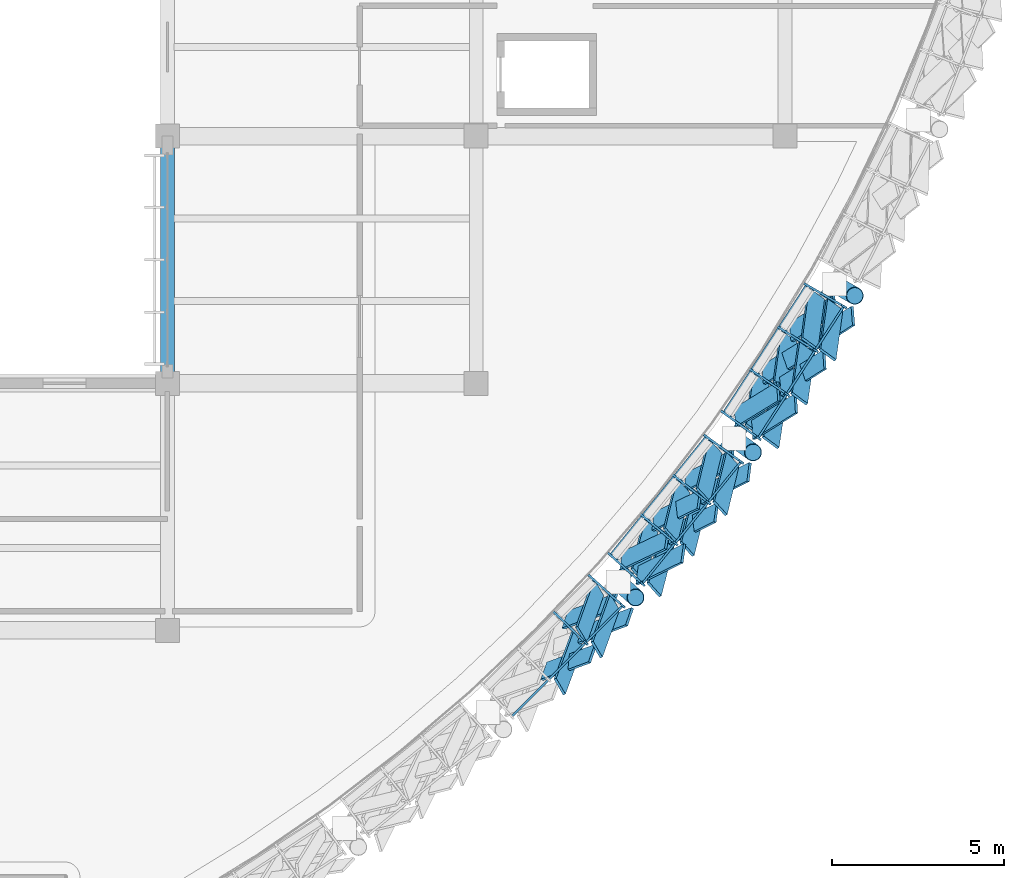
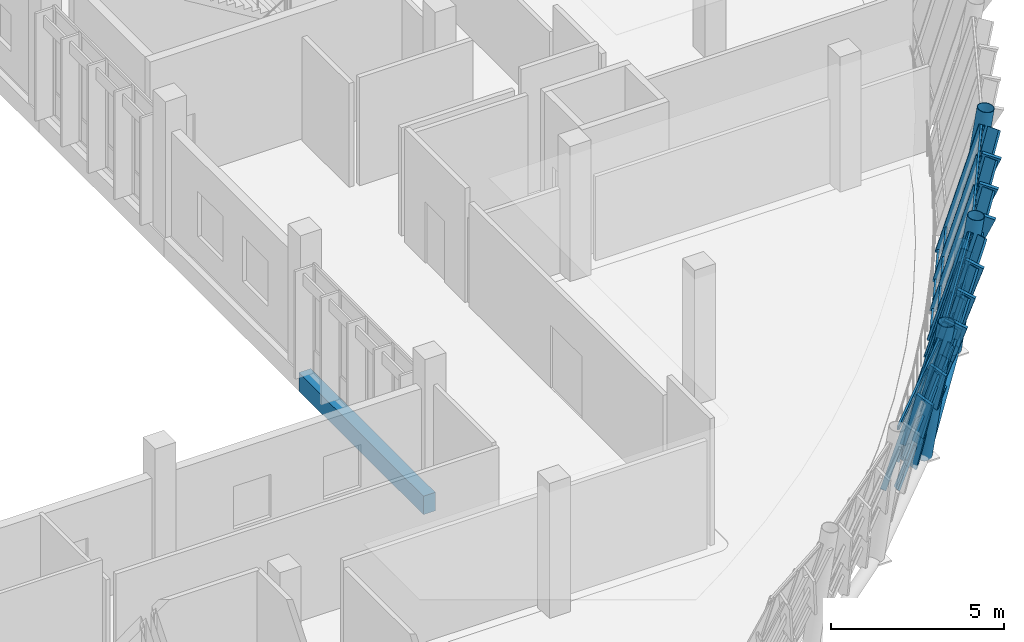
# One storey, part 88 of 177: 50 members, 3 beams, 3 elements without a shape of their own.
"""IFC4 building model written with IfcOpenShell, lengths in metres."""

from ifc_helpers import new_model, si_unit, direction, frame, origin, origin_2d, place, context, subcontext, project, spatial, rectangle, hollow_rectangle, hollow_circle, extrude, material, material_profile, profile_set, type_object, element, aggregate, save


model = new_model("IFC4")

# Units and contexts
model_context = context("Model", 3, precision=1e-05, world=origin(), true_north=direction((0.0, 1.0)))
body_context = subcontext(model_context, "Body", "Model", "MODEL_VIEW")
ifc_project = project(units=[si_unit("LENGTHUNIT", "METRE"), si_unit("AREAUNIT", "SQUARE_METRE"), si_unit("VOLUMEUNIT", "CUBIC_METRE"), si_unit("PLANEANGLEUNIT", "RADIAN"), si_unit("MASSUNIT", "GRAM", prefix="KILO")], contexts=[model_context])

# Site, building, storey
site_placement = place(None, origin())
site = spatial("IfcSite", under=ifc_project, at=site_placement, CompositionType="ELEMENT")
building_placement = place(site_placement, origin())
building = spatial("IfcBuilding", under=site, at=building_placement, Name="Chiffa Square Polytechnic", CompositionType="ELEMENT")
storey_placement = place(building_placement, frame((0.0, 0.0, 4.800048828125)))
storey = spatial("IfcBuildingStorey", under=building, at=storey_placement, Name="L01", CompositionType="ELEMENT", Elevation=4.800048828125)

# Beams
ifc_material_1 = material(Name="Concrete C35/45", Category="concrete")
ifc_material_profile_1 = material_profile(ifc_material_1, rectangle(XDim=0.39990234375, YDim=0.64990234375, at=origin_2d()), Name="RC 400x650")
ifc_profile_set_1 = profile_set([ifc_material_profile_1], Name="Concrete C35/45")
beam_type_1 = type_object("IfcBeamType", Name="BM-RC-400X650", PredefinedType="BEAM", material=ifc_profile_set_1)
beam_1_placement = place(storey_placement, frame((148.199951171875, 28.800048828125, -0.60498046875), z_axis=(0.0, 1.0, 0.0), x_axis=(-1.0, 0.0, 0.0)))
element("IfcBeam", 1, at=beam_1_placement, inside=storey, type_object=beam_type_1, Name="Primary floor girder BM-V1-L01-Y-1482-0288", PredefinedType="BEAM", context=body_context, shape_type="SweptSolid", body=[
    extrude(rectangle(XDim=0.39990234375, YDim=0.64990234375, at=origin_2d()), origin(), (0.0, 0.0, 1.0), 7.199951171875),
])
ifc_material_2 = material(Name="Steel S355", Category="steel")
ifc_material_profile_2 = material_profile(ifc_material_2, hollow_circle(Radius=0.203125, WallThickness=0.012451171875, at=origin_2d()), Name="CHS 406.4x12.5")
ifc_profile_set_2 = profile_set([ifc_material_profile_2], Name="Steel S355")
beam_type_2 = type_object("IfcBeamType", Name="BM-STL-CHS406", PredefinedType="BEAM", material=ifc_profile_set_2)
beam_2_placement = place(storey_placement, frame((161.339111328125, 23.010009765625, 0.0), z_axis=(0.629296297071, 0.777165471758, 0.0), x_axis=(-0.777165471758, 0.629296297071, 0.0)))
element("IfcBeam", 2, at=beam_2_placement, inside=storey, type_object=beam_type_2, Name="Prow V-column ring tie BM-V1-VRING-L01-11", PredefinedType="BEAM", context=body_context, shape_type="SweptSolid", body=[
    extrude(hollow_circle(Radius=0.203125, WallThickness=0.012451171875, at=origin_2d()), origin(), (0.0, 0.0, 1.0), 5.370849609375),
])
beam_3_placement = place(storey_placement, frame((164.718994140625, 27.18408203125, 0.0), z_axis=(0.544624123112, 0.83868025166, 0.0), x_axis=(-0.83868025166, 0.544624123112, 0.0)))
element("IfcBeam", 3, at=beam_3_placement, inside=storey, type_object=beam_type_2, Name="Prow V-column ring tie BM-V1-VRING-L01-12", PredefinedType="BEAM", context=body_context, shape_type="SweptSolid", body=[
    extrude(hollow_circle(Radius=0.203125, WallThickness=0.012451171875, at=origin_2d()), origin(), (0.0, 0.0, 1.0), 5.37255859375),
])

# Members
ifc_material_profile_3 = material_profile(ifc_material_2, hollow_circle(Radius=0.25390625, WallThickness=0.01611328125, at=origin_2d()), Name="CHS 508x16")
ifc_profile_set_3 = profile_set([ifc_material_profile_3], Name="Steel S355")
member_type_1 = type_object("IfcMemberType", Name="COL-VSTRUT-508", PredefinedType="STRUT", material=ifc_profile_set_3)
for number, where, z_axis, x_axis, name in (
    (4, (161.339111328125, 23.010009765625, 0.0), (0.104143895648, -0.093870513292, 0.99012240442), (0.669520189471, 0.742793858275, 0.0), "Prow steel V-strut CV-V1-L01-06L"),
    (5, (164.718994140625, 27.18408203125, 0.0), (0.11346071472, -0.082338334916, 0.990124772349), (0.587338364228, 0.809341489055, 0.0), "Prow steel V-strut CV-V1-L01-06R"),
    (6, (167.64501953125, 31.68994140625, 0.0), (0.121268504986, -0.07010205936, 0.990141227791), (0.5004692653, 0.865754303766, 0.0), "Prow steel V-strut CV-V1-L01-07L"),
):
    element("IfcMember", number, at=place(storey_placement, frame(where, z_axis=z_axis, x_axis=x_axis)), inside=storey, type_object=member_type_1, Name=name, PredefinedType="STRUT", context=body_context, shape_type="SweptSolid", body=[
        extrude(hollow_circle(Radius=0.25390625, WallThickness=0.01611328125, at=origin_2d()), origin(), (0.0, 0.0, 1.0), 4.847900390625),
    ])

# Curtain wall, members
ifc_material_3 = material(Name="Aluminium EN AW-6060 T66 and glulam shading", Category="wood")
curtain_wall_type_1 = type_object("IfcCurtainWallType", Name="CW-PROW-LEAN-300", PredefinedType="USERDEFINED", material=ifc_material_3)
curtain_wall_1_placement = place(storey_placement, origin())
curtain_wall_1 = element("IfcCurtainWall", 7, at=curtain_wall_1_placement, inside=storey, type_object=curtain_wall_type_1, Name="Outward-leaning diamond-fin prow curtain wall CW-V1-L01-019", ObjectType="CURTAIN WALL", PredefinedType="USERDEFINED")
ifc_material_4 = material(Name="Aluminium EN AW-6060 T66", Category="aluminium")
ifc_material_profile_4 = material_profile(ifc_material_4, hollow_rectangle(XDim=0.06494140625, YDim=0.179931640625, WallThickness=0.00390625, at=origin_2d()), Name="ALU 65x180x4")
ifc_profile_set_4 = profile_set([ifc_material_profile_4], Name="Aluminium EN AW-6060 T66")
member_type_2 = type_object("IfcMemberType", Name="CWM-ALU-75X180", PredefinedType="MULLION", material=ifc_profile_set_4)
member_1_placement = place(storey_placement, frame((159.4833984375, 22.11328125, 0.0), z_axis=(0.195609993893, -0.188897372119, 0.962317262183), x_axis=(0.694656461438, 0.719341643854, 0.0)))
member_1 = element("IfcMember", 8, at=member_1_placement, type_object=member_type_2, Name="Leaning prow mullion CW-V1-L01-019-M02", PredefinedType="MULLION", context=body_context, shape_type="SweptSolid", body=[
    extrude(hollow_rectangle(XDim=0.06494140625, YDim=0.179931640625, WallThickness=0.00390625, at=origin_2d()), origin(), (0.0, 0.0, 1.0), 4.655517578125),
])
member_2_placement = place(storey_placement, frame((160.530029296875, 23.159912109375, 0.0), z_axis=(0.202306317362, -0.182117636132, 0.96223974173), x_axis=(0.669049873404, 0.743217509817, 0.0)))
member_2 = element("IfcMember", 9, at=member_2_placement, type_object=member_type_2, Name="Leaning prow mullion CW-V1-L01-019-M03", PredefinedType="MULLION", context=body_context, shape_type="SweptSolid", body=[
    extrude(hollow_rectangle(XDim=0.06494140625, YDim=0.179931640625, WallThickness=0.00390625, at=origin_2d()), origin(), (0.0, 0.0, 1.0), 4.65576171875),
])

curtain_wall_type_2 = type_object("IfcCurtainWallType", Name="CW-PROW-LEAN-150", PredefinedType="USERDEFINED", material=ifc_material_3)
curtain_wall_2_placement = place(storey_placement, origin())
curtain_wall_2 = element("IfcCurtainWall", 10, at=curtain_wall_2_placement, inside=storey, type_object=curtain_wall_type_2, Name="Outward-leaning diamond-fin prow curtain wall CW-V1-L01-020", ObjectType="CURTAIN WALL", PredefinedType="USERDEFINED")
member_3_placement = place(storey_placement, frame((161.10498046875, 23.798095703125, 0.0), z_axis=(0.202354675818, -0.182166401605, 0.962220342386), x_axis=(0.669060489459, 0.743207953029, 0.0)))
member_3 = element("IfcMember", 11, at=member_3_placement, type_object=member_type_2, Name="Leaning prow mullion CW-V1-L01-020-M00", PredefinedType="MULLION", context=body_context, shape_type="SweptSolid", body=[
    extrude(hollow_rectangle(XDim=0.06494140625, YDim=0.179931640625, WallThickness=0.00390625, at=origin_2d()), origin(), (0.0, 0.0, 1.0), 4.65576171875),
])
member_4_placement = place(storey_placement, frame((162.036376953125, 24.94873046875, 0.0), z_axis=(0.208349767746, -0.174839699387, 0.962300085108), x_axis=(0.642816705801, 0.766020027639, 0.0)))
member_4 = element("IfcMember", 12, at=member_4_placement, type_object=member_type_2, Name="Leaning prow mullion CW-V1-L01-020-M01", PredefinedType="MULLION", context=body_context, shape_type="SweptSolid", body=[
    extrude(hollow_rectangle(XDim=0.06494140625, YDim=0.179931640625, WallThickness=0.00390625, at=origin_2d()), origin(), (0.0, 0.0, 1.0), 4.655517578125),
])
member_5_placement = place(storey_placement, frame((162.9677734375, 26.099365234375, 0.0), z_axis=(0.214374787877, -0.167545853049, 0.962274304681), x_axis=(0.615793638475, 0.787907478587, 0.0)))
member_5 = element("IfcMember", 13, at=member_5_placement, type_object=member_type_2, Name="Leaning prow mullion CW-V1-L01-020-M02", PredefinedType="MULLION", context=body_context, shape_type="SweptSolid", body=[
    extrude(hollow_rectangle(XDim=0.06494140625, YDim=0.179931640625, WallThickness=0.00390625, at=origin_2d()), origin(), (0.0, 0.0, 1.0), 4.655517578125),
])
member_6_placement = place(storey_placement, frame((163.89892578125, 27.25, 0.0), z_axis=(0.220379763289, -0.160238057723, 0.962162421211), x_axis=(0.588080157446, 0.808802651095, 0.0)))
member_6 = element("IfcMember", 14, at=member_6_placement, type_object=member_type_2, Name="Leaning prow mullion CW-V1-L01-020-M03", PredefinedType="MULLION", context=body_context, shape_type="SweptSolid", body=[
    extrude(hollow_rectangle(XDim=0.06494140625, YDim=0.179931640625, WallThickness=0.00390625, at=origin_2d()), origin(), (0.0, 0.0, 1.0), 4.65625),
])

curtain_wall_3_placement = place(storey_placement, origin())
curtain_wall_3 = element("IfcCurtainWall", 15, at=curtain_wall_3_placement, inside=storey, type_object=curtain_wall_type_1, Name="Outward-leaning diamond-fin prow curtain wall CW-V1-L01-021", ObjectType="CURTAIN WALL", PredefinedType="USERDEFINED")
member_7_placement = place(storey_placement, frame((164.404052734375, 27.945068359375, 0.0), z_axis=(0.220329875075, -0.160239909146, 0.962173538228), x_axis=(0.588171697675, 0.808736084303, 0.0)))
member_7 = element("IfcMember", 16, at=member_7_placement, type_object=member_type_2, Name="Leaning prow mullion CW-V1-L01-021-M00", PredefinedType="MULLION", context=body_context, shape_type="SweptSolid", body=[
    extrude(hollow_rectangle(XDim=0.06494140625, YDim=0.179931640625, WallThickness=0.00390625, at=origin_2d()), origin(), (0.0, 0.0, 1.0), 4.656005859375),
])
member_8_placement = place(storey_placement, frame((165.210205078125, 29.18603515625, 0.0), z_axis=(0.225542575987, -0.152232061867, 0.962266047284), x_axis=(0.559449686036, 0.828864312656, 0.0)))
member_8 = element("IfcMember", 17, at=member_8_placement, type_object=member_type_2, Name="Leaning prow mullion CW-V1-L01-021-M01", PredefinedType="MULLION", context=body_context, shape_type="SweptSolid", body=[
    extrude(hollow_rectangle(XDim=0.06494140625, YDim=0.179931640625, WallThickness=0.00390625, at=origin_2d()), origin(), (0.0, 0.0, 1.0), 4.65576171875),
])
member_9_placement = place(storey_placement, frame((166.0166015625, 30.427001953125, 0.0), z_axis=(0.230735206633, -0.144209504146, 0.9622706913), x_axis=(0.529998940003, 0.847998304005, 0.0)))
member_9 = element("IfcMember", 18, at=member_9_placement, type_object=member_type_2, Name="Leaning prow mullion CW-V1-L01-021-M02", PredefinedType="MULLION", context=body_context, shape_type="SweptSolid", body=[
    extrude(hollow_rectangle(XDim=0.06494140625, YDim=0.179931640625, WallThickness=0.00390625, at=origin_2d()), origin(), (0.0, 0.0, 1.0), 4.655517578125),
])
member_10_placement = place(storey_placement, frame((166.822998046875, 31.66796875, 0.0), z_axis=(0.235807305949, -0.136177801545, 0.962211266213), x_axis=(0.500094716449, 0.865970712311, 0.0)))
member_10 = element("IfcMember", 19, at=member_10_placement, type_object=member_type_2, Name="Leaning prow mullion CW-V1-L01-021-M03", PredefinedType="MULLION", context=body_context, shape_type="SweptSolid", body=[
    extrude(hollow_rectangle(XDim=0.06494140625, YDim=0.179931640625, WallThickness=0.00390625, at=origin_2d()), origin(), (0.0, 0.0, 1.0), 4.656005859375),
])

# Member
ifc_material_5 = material(Name="Glulam GL28h", Category="wood")
ifc_material_profile_5 = material_profile(ifc_material_5, rectangle(XDim=0.080078125, YDim=0.580078125, at=origin_2d()), Name="GL28h 80x580")
ifc_profile_set_5 = profile_set([ifc_material_profile_5], Name="Glulam GL28h")
member_type_3 = type_object("IfcMemberType", Name="CWM-GL-80X580", PredefinedType="MULLION", material=ifc_profile_set_5)
member_11_placement = place(storey_placement, frame((159.199951171875, 20.405029296875, 2.239990234375), z_axis=(0.524670856225, 0.19295594274, 0.829149260863), x_axis=(-0.794332319934, 0.461281274174, 0.395291982723)))
member_11 = element("IfcMember", 20, at=member_11_placement, type_object=member_type_3, Name="Diamond glulam fin CW-V1-L01-019-DF04A", PredefinedType="MULLION", context=body_context, shape_type="SweptSolid", body=[
    extrude(rectangle(XDim=0.080078125, YDim=0.580078125, at=origin_2d()), origin(), (0.0, 0.0, 1.0), 2.6533203125),
])

member_12_placement = place(storey_placement, frame((160.14501953125, 21.35009765625, 2.239990234375), z_axis=(-0.19295594274, -0.524670856225, 0.829149260863), x_axis=(0.866018238987, 0.306197090348, 0.395291982723)))
member_12 = element("IfcMember", 21, at=member_12_placement, type_object=member_type_3, Name="Diamond glulam fin CW-V1-L01-019-DF04B", PredefinedType="MULLION", context=body_context, shape_type="SweptSolid", body=[
    extrude(rectangle(XDim=0.080078125, YDim=0.580078125, at=origin_2d()), origin(), (0.0, 0.0, 1.0), 2.6533203125),
])

member_13_placement = place(storey_placement, frame((159.81396484375, 21.89794921875, 0.0400390625), z_axis=(0.525120010406, 0.193678238514, 0.828696394705), x_axis=(-0.794462463874, 0.460649813627, 0.395766525494)))
member_13 = element("IfcMember", 22, at=member_13_placement, type_object=member_type_3, Name="Diamond glulam fin CW-V1-L01-019-DF05A", PredefinedType="MULLION", context=body_context, shape_type="SweptSolid", body=[
    extrude(rectangle(XDim=0.080078125, YDim=0.580078125, at=origin_2d()), origin(), (0.0, 0.0, 1.0), 2.65478515625),
])

member_14_placement = place(storey_placement, frame((160.74609375, 22.830078125, 0.0400390625), z_axis=(-0.183879070002, -0.517698864257, 0.835569490564), x_axis=(0.864077298388, 0.320091563761, 0.388473696946)))
member_14 = element("IfcMember", 23, at=member_14_placement, type_object=member_type_3, Name="Diamond glulam fin CW-V1-L01-019-DF05B", PredefinedType="MULLION", context=body_context, shape_type="SweptSolid", body=[
    extrude(rectangle(XDim=0.080078125, YDim=0.580078125, at=origin_2d()), origin(), (0.0, 0.0, 1.0), 2.6328125),
])

member_15_placement = place(storey_placement, frame((160.261962890625, 21.467041015625, 2.239990234375), z_axis=(0.528096212138, 0.198207896383, 0.825728781463), x_axis=(-0.795114496662, 0.456844555037, 0.398855850818)))
member_15 = element("IfcMember", 24, at=member_15_placement, type_object=member_type_3, Name="Diamond glulam fin CW-V1-L01-019-DF06A", PredefinedType="MULLION", context=body_context, shape_type="SweptSolid", body=[
    extrude(rectangle(XDim=0.080078125, YDim=0.580078125, at=origin_2d()), origin(), (0.0, 0.0, 1.0), 2.664306640625),
])

member_16_placement = place(storey_placement, frame((161.2080078125, 22.412109375, 2.239990234375), z_axis=(-0.188488959965, -0.520839346727, 0.832585303061), x_axis=(0.865246887867, 0.312964800694, 0.391664214045)))
member_16 = element("IfcMember", 25, at=member_16_placement, type_object=member_type_3, Name="Diamond glulam fin CW-V1-L01-019-DF06B", PredefinedType="MULLION", context=body_context, shape_type="SweptSolid", body=[
    extrude(rectangle(XDim=0.080078125, YDim=0.580078125, at=origin_2d()), origin(), (0.0, 0.0, 1.0), 2.642333984375),
])

member_17_placement = place(storey_placement, frame((161.4560546875, 23.617919921875, 0.0400390625), z_axis=(0.495673245603, 0.236661950006, 0.835642959052), x_axis=(-0.857195943708, 0.288099158616, 0.42686530533)))
member_17 = element("IfcMember", 26, at=member_17_placement, type_object=member_type_3, Name="Diamond glulam fin CW-V1-L01-020-DF01A", PredefinedType="MULLION", context=body_context, shape_type="SweptSolid", body=[
    extrude(rectangle(XDim=0.080078125, YDim=0.580078125, at=origin_2d()), origin(), (0.0, 0.0, 1.0), 2.632568359375),
])

member_18_placement = place(storey_placement, frame((162.284912109375, 24.64208984375, 0.0400390625), z_axis=(-0.137852078835, -0.542487933989, 0.828675838816), x_axis=(0.768543136547, 0.469174043212, 0.434990993518)))
member_18 = element("IfcMember", 27, at=member_18_placement, type_object=member_type_3, Name="Diamond glulam fin CW-V1-L01-020-DF01B", PredefinedType="MULLION", context=body_context, shape_type="SweptSolid", body=[
    extrude(rectangle(XDim=0.080078125, YDim=0.580078125, at=origin_2d()), origin(), (0.0, 0.0, 1.0), 2.65478515625),
])

member_19_placement = place(storey_placement, frame((161.9189453125, 23.201904296875, 2.239990234375), z_axis=(0.498431343321, 0.241870853905, 0.832505066667), x_axis=(-0.856811216852, 0.283723741764, 0.430552409164)))
member_19 = element("IfcMember", 28, at=member_19_placement, type_object=member_type_3, Name="Diamond glulam fin CW-V1-L01-020-DF02A", PredefinedType="MULLION", context=body_context, shape_type="SweptSolid", body=[
    extrude(rectangle(XDim=0.080078125, YDim=0.580078125, at=origin_2d()), origin(), (0.0, 0.0, 1.0), 2.642578125),
])

member_20_placement = place(storey_placement, frame((162.760986328125, 24.240966796875, 2.239990234375), z_axis=(-0.141871281608, -0.545764523238, 0.825841161864), x_axis=(0.770546984811, 0.462825684284, 0.438234788858)))
member_20 = element("IfcMember", 29, at=member_20_placement, type_object=member_type_3, Name="Diamond glulam fin CW-V1-L01-020-DF02B", PredefinedType="MULLION", context=body_context, shape_type="SweptSolid", body=[
    extrude(rectangle(XDim=0.080078125, YDim=0.580078125, at=origin_2d()), origin(), (0.0, 0.0, 1.0), 2.663818359375),
])

member_21_placement = place(storey_placement, frame((162.387939453125, 24.76904296875, 0.0400390625), z_axis=(0.498675572569, 0.242087178311, 0.832295903763), x_axis=(-0.856710014978, 0.283658715629, 0.430796568328)))
member_21 = element("IfcMember", 30, at=member_21_placement, type_object=member_type_3, Name="Diamond glulam fin CW-V1-L01-020-DF03A", PredefinedType="MULLION", context=body_context, shape_type="SweptSolid", body=[
    extrude(rectangle(XDim=0.080078125, YDim=0.580078125, at=origin_2d()), origin(), (0.0, 0.0, 1.0), 2.643310546875),
])

member_22_placement = place(storey_placement, frame((163.217041015625, 25.79296875, 0.0400390625), z_axis=(-0.133174682878, -0.538239980453, 0.832203236765), x_axis=(0.766235671911, 0.476659265261, 0.430904676155)))
member_22 = element("IfcMember", 31, at=member_22_placement, type_object=member_type_3, Name="Diamond glulam fin CW-V1-L01-020-DF03B", PredefinedType="MULLION", context=body_context, shape_type="SweptSolid", body=[
    extrude(rectangle(XDim=0.080078125, YDim=0.580078125, at=origin_2d()), origin(), (0.0, 0.0, 1.0), 2.6435546875),
])

member_23_placement = place(storey_placement, frame((162.864990234375, 24.3701171875, 2.239990234375), z_axis=(0.501376221235, 0.246822875432, 0.829277006159), x_axis=(-0.85615588154, 0.279967693037, 0.434298511808)))
member_23 = element("IfcMember", 32, at=member_23_placement, type_object=member_type_3, Name="Diamond glulam fin CW-V1-L01-020-DF04A", PredefinedType="MULLION", context=body_context, shape_type="SweptSolid", body=[
    extrude(rectangle(XDim=0.080078125, YDim=0.580078125, at=origin_2d()), origin(), (0.0, 0.0, 1.0), 2.65283203125),
])

member_24_placement = place(storey_placement, frame((163.7060546875, 25.408935546875, 2.239990234375), z_axis=(-0.137191826466, -0.541958321854, 0.829131823128), x_axis=(0.768202207989, 0.470217773091, 0.434465894531)))
member_24 = element("IfcMember", 33, at=member_24_placement, type_object=member_type_3, Name="Diamond glulam fin CW-V1-L01-020-DF04B", PredefinedType="MULLION", context=body_context, shape_type="SweptSolid", body=[
    extrude(rectangle(XDim=0.080078125, YDim=0.580078125, at=origin_2d()), origin(), (0.0, 0.0, 1.0), 2.6533203125),
])

member_25_placement = place(storey_placement, frame((163.319091796875, 25.919921875, 0.0400390625), z_axis=(0.501755582751, 0.247520490043, 0.828839515339), x_axis=(-0.856080031528, 0.279416653394, 0.434802614327)))
member_25 = element("IfcMember", 34, at=member_25_placement, type_object=member_type_3, Name="Diamond glulam fin CW-V1-L01-020-DF05A", PredefinedType="MULLION", context=body_context, shape_type="SweptSolid", body=[
    extrude(rectangle(XDim=0.080078125, YDim=0.580078125, at=origin_2d()), origin(), (0.0, 0.0, 1.0), 2.654296875),
])

member_26_placement = place(storey_placement, frame((164.14794921875, 26.944091796875, 0.0400390625), z_axis=(-0.128346555338, -0.53406633829, 0.835643648955), x_axis=(0.763645897451, 0.484387913544, 0.426864489643)))
member_26 = element("IfcMember", 35, at=member_26_placement, type_object=member_type_3, Name="Diamond glulam fin CW-V1-L01-020-DF05B", PredefinedType="MULLION", context=body_context, shape_type="SweptSolid", body=[
    extrude(rectangle(XDim=0.080078125, YDim=0.580078125, at=origin_2d()), origin(), (0.0, 0.0, 1.0), 2.632568359375),
])

member_27_placement = place(storey_placement, frame((163.81005859375, 25.5380859375, 2.239990234375), z_axis=(0.504753272155, 0.252147577595, 0.825618394515), x_axis=(-0.855228125038, 0.276247957272, 0.438488221332)))
member_27 = element("IfcMember", 36, at=member_27_placement, type_object=member_type_3, Name="Diamond glulam fin CW-V1-L01-020-DF06A", PredefinedType="MULLION", context=body_context, shape_type="SweptSolid", body=[
    extrude(rectangle(XDim=0.080078125, YDim=0.580078125, at=origin_2d()), origin(), (0.0, 0.0, 1.0), 2.66455078125),
])

member_28_placement = place(storey_placement, frame((164.65087890625, 26.576904296875, 2.239990234375), z_axis=(-0.132384423772, -0.538036904429, 0.832460601959), x_axis=(0.765664843367, 0.477846479957, 0.430604330243)))
member_28 = element("IfcMember", 37, at=member_28_placement, type_object=member_type_3, Name="Diamond glulam fin CW-V1-L01-020-DF06B", PredefinedType="MULLION", context=body_context, shape_type="SweptSolid", body=[
    extrude(rectangle(XDim=0.080078125, YDim=0.580078125, at=origin_2d()), origin(), (0.0, 0.0, 1.0), 2.642822265625),
])

member_29_placement = place(storey_placement, frame((164.77197265625, 27.802001953125, 0.0400390625), z_axis=(0.468291637325, 0.287187960554, 0.835599196819), x_axis=(-0.882130161476, 0.097918940038, 0.460714943753)))
member_29 = element("IfcMember", 38, at=member_29_placement, type_object=member_type_3, Name="Diamond glulam fin CW-V1-L01-021-DF01A", PredefinedType="MULLION", context=body_context, shape_type="SweptSolid", body=[
    extrude(rectangle(XDim=0.080078125, YDim=0.580078125, at=origin_2d()), origin(), (0.0, 0.0, 1.0), 2.6328125),
])

member_30_placement = place(storey_placement, frame((165.489990234375, 28.906982421875, 0.0400390625), z_axis=(-0.080659343601, -0.553762722715, 0.82875866042), x_axis=(0.639134313277, 0.609295618861, 0.469325237366)))
member_30 = element("IfcMember", 39, at=member_30_placement, type_object=member_type_3, Name="Diamond glulam fin CW-V1-L01-021-DF01B", PredefinedType="MULLION", context=body_context, shape_type="SweptSolid", body=[
    extrude(rectangle(XDim=0.080078125, YDim=0.580078125, at=origin_2d()), origin(), (0.0, 0.0, 1.0), 2.654541015625),
])

member_31_placement = place(storey_placement, frame((165.27587890625, 27.43701171875, 2.239990234375), z_axis=(0.470792346548, 0.292120368874, 0.832478382014), x_axis=(-0.880406155828, 0.094684602033, 0.464671741036)))
member_31 = element("IfcMember", 40, at=member_31_placement, type_object=member_type_3, Name="Diamond glulam fin CW-V1-L01-021-DF02A", PredefinedType="MULLION", context=body_context, shape_type="SweptSolid", body=[
    extrude(rectangle(XDim=0.080078125, YDim=0.580078125, at=origin_2d()), origin(), (0.0, 0.0, 1.0), 2.642578125),
])

member_32_placement = place(storey_placement, frame((166.0048828125, 28.55810546875, 2.239990234375), z_axis=(-0.084029278059, -0.557782132548, 0.825722818529), x_axis=(0.641723697623, 0.603648638146, 0.473074008558)))
member_32 = element("IfcMember", 41, at=member_32_placement, type_object=member_type_3, Name="Diamond glulam fin CW-V1-L01-021-DF02B", PredefinedType="MULLION", context=body_context, shape_type="SweptSolid", body=[
    extrude(rectangle(XDim=0.080078125, YDim=0.580078125, at=origin_2d()), origin(), (0.0, 0.0, 1.0), 2.664306640625),
])

member_33_placement = place(storey_placement, frame((165.5791015625, 29.0439453125, 0.0400390625), z_axis=(0.470605971021, 0.292893333485, 0.832312150121), x_axis=(-0.880415954328, 0.093558908699, 0.464881143915)))
member_33 = element("IfcMember", 42, at=member_33_placement, type_object=member_type_3, Name="Diamond glulam fin CW-V1-L01-021-DF03A", PredefinedType="MULLION", context=body_context, shape_type="SweptSolid", body=[
    extrude(rectangle(XDim=0.080078125, YDim=0.580078125, at=origin_2d()), origin(), (0.0, 0.0, 1.0), 2.64306640625),
])

member_34_placement = place(storey_placement, frame((166.2958984375, 30.14794921875, 0.0400390625), z_axis=(-0.076023148376, -0.548973962088, 0.832374957492), x_axis=(0.635249612798, 0.616779532637, 0.46480204126)))
member_34 = element("IfcMember", 43, at=member_34_placement, type_object=member_type_3, Name="Diamond glulam fin CW-V1-L01-021-DF03B", PredefinedType="MULLION", context=body_context, shape_type="SweptSolid", body=[
    extrude(rectangle(XDim=0.080078125, YDim=0.580078125, at=origin_2d()), origin(), (0.0, 0.0, 1.0), 2.64306640625),
])

member_35_placement = place(storey_placement, frame((166.094970703125, 28.697021484375, 2.239990234375), z_axis=(0.473067606247, 0.297772179307, 0.829179575937), x_axis=(-0.878656756381, 0.090481893095, 0.468802017368)))
member_35 = element("IfcMember", 44, at=member_35_placement, type_object=member_type_3, Name="Diamond glulam fin CW-V1-L01-021-DF04A", PredefinedType="MULLION", context=body_context, shape_type="SweptSolid", body=[
    extrude(rectangle(XDim=0.080078125, YDim=0.580078125, at=origin_2d()), origin(), (0.0, 0.0, 1.0), 2.653076171875),
])

member_36_placement = place(storey_placement, frame((166.822998046875, 29.818115234375, 2.239990234375), z_axis=(-0.079869431522, -0.553289045785, 0.829151437147), x_axis=(0.638403313519, 0.610436774959, 0.468837021858)))
member_36 = element("IfcMember", 45, at=member_36_placement, type_object=member_type_3, Name="Diamond glulam fin CW-V1-L01-021-DF04B", PredefinedType="MULLION", context=body_context, shape_type="SweptSolid", body=[
    extrude(rectangle(XDim=0.080078125, YDim=0.580078125, at=origin_2d()), origin(), (0.0, 0.0, 1.0), 2.6533203125),
])

member_37_placement = place(storey_placement, frame((166.385009765625, 30.284912109375, 0.0400390625), z_axis=(0.473249414428, 0.298390884432, 0.828853347602), x_axis=(-0.878494085168, 0.089957549974, 0.469207610262)))
member_37 = element("IfcMember", 46, at=member_37_placement, type_object=member_type_3, Name="Diamond glulam fin CW-V1-L01-021-DF05A", PredefinedType="MULLION", context=body_context, shape_type="SweptSolid", body=[
    extrude(rectangle(XDim=0.080078125, YDim=0.580078125, at=origin_2d()), origin(), (0.0, 0.0, 1.0), 2.654296875),
])

member_38_placement = place(storey_placement, frame((167.10302734375, 31.389892578125, 0.0400390625), z_axis=(-0.07214364458, -0.54460105992, 0.835586608366), x_axis=(0.631951279739, 0.623188994951, 0.460731002439)))
member_38 = element("IfcMember", 47, at=member_38_placement, type_object=member_type_3, Name="Diamond glulam fin CW-V1-L01-021-DF05B", PredefinedType="MULLION", context=body_context, shape_type="SweptSolid", body=[
    extrude(rectangle(XDim=0.080078125, YDim=0.580078125, at=origin_2d()), origin(), (0.0, 0.0, 1.0), 2.6328125),
])

member_39_placement = place(storey_placement, frame((166.9130859375, 29.9560546875, 2.239990234375), z_axis=(0.475475489868, 0.303574927334, 0.825690815032), x_axis=(-0.876754386497, 0.086403440088, 0.473113296473)))
member_39 = element("IfcMember", 48, at=member_39_placement, type_object=member_type_3, Name="Diamond glulam fin CW-V1-L01-021-DF06A", PredefinedType="MULLION", context=body_context, shape_type="SweptSolid", body=[
    extrude(rectangle(XDim=0.080078125, YDim=0.580078125, at=origin_2d()), origin(), (0.0, 0.0, 1.0), 2.664306640625),
])

member_40_placement = place(storey_placement, frame((167.64111328125, 31.076904296875, 2.239990234375), z_axis=(-0.075778350567, -0.548468915382, 0.83273014263), x_axis=(0.635097406694, 0.61727330491, 0.464354337824)))
member_40 = element("IfcMember", 49, at=member_40_placement, type_object=member_type_3, Name="Diamond glulam fin CW-V1-L01-021-DF06B", PredefinedType="MULLION", context=body_context, shape_type="SweptSolid", body=[
    extrude(rectangle(XDim=0.080078125, YDim=0.580078125, at=origin_2d()), origin(), (0.0, 0.0, 1.0), 2.641845703125),
])

ifc_material_profile_6 = material_profile(ifc_material_4, hollow_rectangle(XDim=0.06494140625, YDim=0.139892578125, WallThickness=0.00390625, at=origin_2d()), Name="ALU 65x140x4")
ifc_profile_set_6 = profile_set([ifc_material_profile_6], Name="Aluminium EN AW-6060 T66")
member_type_4 = type_object("IfcMemberType", Name="CWT-ALU-75X140", PredefinedType="USERDEFINED", material=ifc_profile_set_6)
member_41_placement = place(storey_placement, frame((158.23046875, 19.08642578125, 4.43994140625), z_axis=(0.707106781187, 0.707106781187, 0.0), x_axis=(-0.707106781187, 0.707106781187, 0.0)))
member_41 = element("IfcMember", 50, at=member_41_placement, type_object=member_type_4, Name="Leaning prow transom CW-V1-L01-019-T03", ObjectType="TRANSOM", PredefinedType="USERDEFINED", context=body_context, shape_type="SweptSolid", body=[
    extrude(hollow_rectangle(XDim=0.06494140625, YDim=0.139892578125, WallThickness=0.00390625, at=origin_2d()), origin(), (0.0, 0.0, 1.0), 4.572265625),
])

aggregate(curtain_wall_1, [member_1, member_2, member_41, member_11, member_12, member_13, member_14, member_15, member_16])

member_42_placement = place(storey_placement, frame((161.11328125, 23.790283203125, 0.0400390625), z_axis=(0.629134989675, 0.77729605992, 0.0), x_axis=(-0.77729605992, 0.629134989675, 0.0)))
member_42 = element("IfcMember", 51, at=member_42_placement, type_object=member_type_4, Name="Leaning prow transom CW-V1-L01-020-T01", ObjectType="TRANSOM", PredefinedType="USERDEFINED", context=body_context, shape_type="SweptSolid", body=[
    extrude(hollow_rectangle(XDim=0.06494140625, YDim=0.139892578125, WallThickness=0.00390625, at=origin_2d()), origin(), (0.0, 0.0, 1.0), 4.4423828125),
])

member_43_placement = place(storey_placement, frame((161.28369140625, 23.63720703125, 0.849853515625), z_axis=(0.62920451897, 0.777239778516, 0.0), x_axis=(-0.777239778516, 0.62920451897, 0.0)))
member_43 = element("IfcMember", 52, at=member_43_placement, type_object=member_type_4, Name="Leaning prow transom CW-V1-L01-020-T02", ObjectType="TRANSOM", PredefinedType="USERDEFINED", context=body_context, shape_type="SweptSolid", body=[
    extrude(hollow_rectangle(XDim=0.06494140625, YDim=0.139892578125, WallThickness=0.00390625, at=origin_2d()), origin(), (0.0, 0.0, 1.0), 4.466064453125),
])

member_44_placement = place(storey_placement, frame((162.03857421875, 22.95751953125, 4.43994140625), z_axis=(0.629301143245, 0.777161547627, 0.0), x_axis=(-0.777161547627, 0.629301143245, 0.0)))
member_44 = element("IfcMember", 53, at=member_44_placement, type_object=member_type_4, Name="Leaning prow transom CW-V1-L01-020-T03", ObjectType="TRANSOM", PredefinedType="USERDEFINED", context=body_context, shape_type="SweptSolid", body=[
    extrude(hollow_rectangle(XDim=0.06494140625, YDim=0.139892578125, WallThickness=0.00390625, at=origin_2d()), origin(), (0.0, 0.0, 1.0), 4.572021484375),
])

aggregate(curtain_wall_2, [member_3, member_4, member_5, member_6, member_42, member_43, member_44, member_17, member_18, member_19, member_20, member_21, member_22, member_23, member_24, member_25, member_26, member_27, member_28])

member_45_placement = place(storey_placement, frame((164.4130859375, 27.938232421875, 0.0400390625), z_axis=(0.544829897142, 0.838546589749, 0.0), x_axis=(-0.838546589749, 0.544829897142, 0.0)))
member_45 = element("IfcMember", 54, at=member_45_placement, type_object=member_type_4, Name="Leaning prow transom CW-V1-L01-021-T01", ObjectType="TRANSOM", PredefinedType="USERDEFINED", context=body_context, shape_type="SweptSolid", body=[
    extrude(hollow_rectangle(XDim=0.06494140625, YDim=0.139892578125, WallThickness=0.00390625, at=origin_2d()), origin(), (0.0, 0.0, 1.0), 4.441162109375),
])

member_46_placement = place(storey_placement, frame((164.5986328125, 27.803466796875, 0.849853515625), z_axis=(0.544819210113, 0.838553533349, 0.0), x_axis=(-0.838553533349, 0.544819210113, 0.0)))
member_46 = element("IfcMember", 55, at=member_46_placement, type_object=member_type_4, Name="Leaning prow transom CW-V1-L01-021-T02", ObjectType="TRANSOM", PredefinedType="USERDEFINED", context=body_context, shape_type="SweptSolid", body=[
    extrude(hollow_rectangle(XDim=0.06494140625, YDim=0.139892578125, WallThickness=0.00390625, at=origin_2d()), origin(), (0.0, 0.0, 1.0), 4.465087890625),
])

member_47_placement = place(storey_placement, frame((165.4208984375, 27.205810546875, 4.43994140625), z_axis=(0.544703006464, 0.838629020932, 0.0), x_axis=(-0.838629020932, 0.544703006464, 0.0)))
member_47 = element("IfcMember", 56, at=member_47_placement, type_object=member_type_4, Name="Leaning prow transom CW-V1-L01-021-T03", ObjectType="TRANSOM", PredefinedType="USERDEFINED", context=body_context, shape_type="SweptSolid", body=[
    extrude(hollow_rectangle(XDim=0.06494140625, YDim=0.139892578125, WallThickness=0.00390625, at=origin_2d()), origin(), (0.0, 0.0, 1.0), 4.57177734375),
])

aggregate(curtain_wall_3, [member_7, member_8, member_9, member_10, member_45, member_46, member_47, member_29, member_30, member_31, member_32, member_33, member_34, member_35, member_36, member_37, member_38, member_39, member_40])

save(model, "model.ifc")
